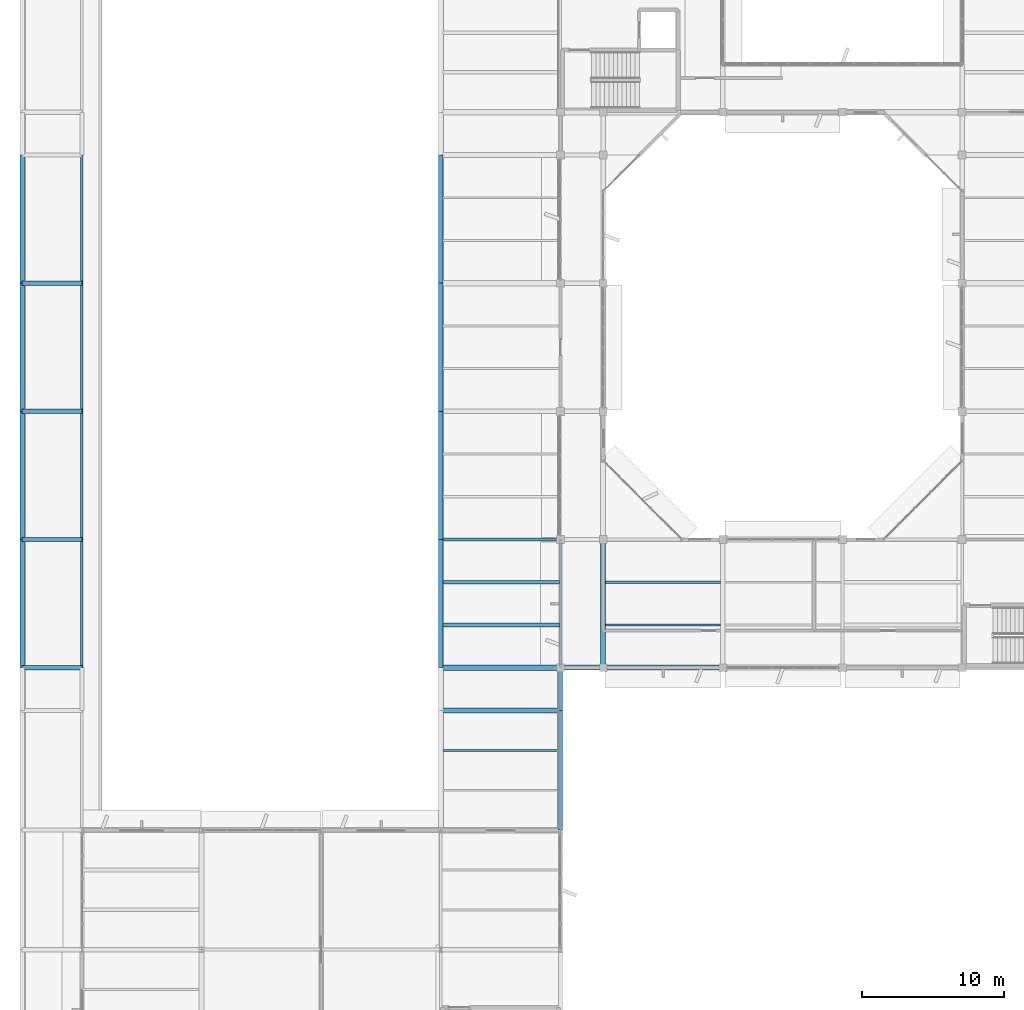
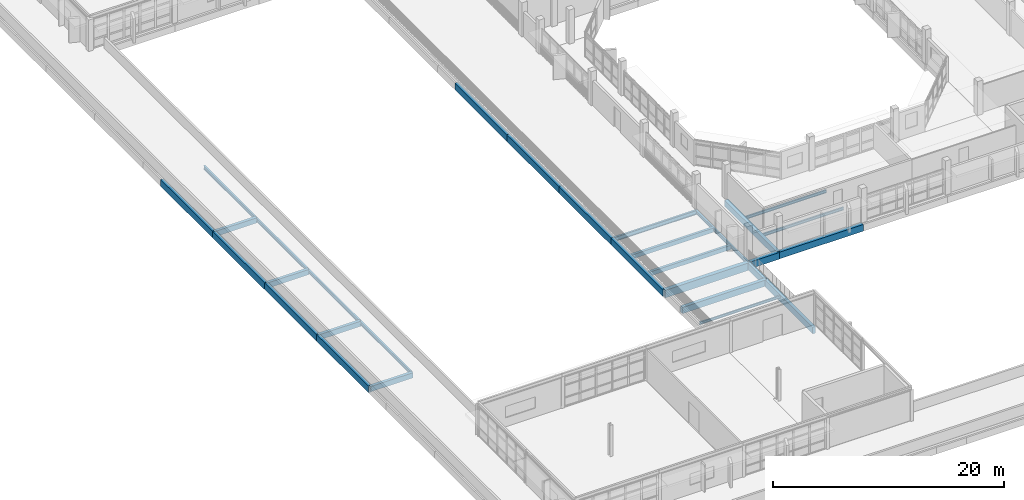
# One storey, part 9 of 92: 30 beams.
"""IFC4 building model written with IfcOpenShell, lengths in metres."""

from ifc_helpers import new_model, si_unit, direction, frame, origin, origin_2d, place, context, subcontext, project, spatial, rectangle, i_section, extrude, material, material_profile, profile_set, type_object, element, save


model = new_model("IFC4")

# Units and contexts
model_context = context("Model", 3, precision=1e-05, world=origin(), true_north=direction((0.0, 1.0)))
body_context = subcontext(model_context, "Body", "Model", "MODEL_VIEW")
ifc_project = project(units=[si_unit("LENGTHUNIT", "METRE"), si_unit("AREAUNIT", "SQUARE_METRE"), si_unit("VOLUMEUNIT", "CUBIC_METRE"), si_unit("PLANEANGLEUNIT", "RADIAN"), si_unit("MASSUNIT", "GRAM", prefix="KILO")], contexts=[model_context])

# Site, building, storey
site_placement = place(None, origin())
site = spatial("IfcSite", under=ifc_project, at=site_placement, CompositionType="ELEMENT")
building_placement = place(site_placement, origin())
building = spatial("IfcBuilding", under=site, at=building_placement, Name="Vanh Quang Courtyard School", CompositionType="ELEMENT")
storey_placement = place(building_placement, frame((0.0, 0.0, 7.800048828125)))
storey = spatial("IfcBuildingStorey", under=building, at=storey_placement, Name="L02", CompositionType="ELEMENT", Elevation=7.800048828125)

# Beams
ifc_material_1 = material(Name="Concrete C35/45", Category="concrete")
ifc_material_profile_1 = material_profile(ifc_material_1, rectangle(XDim=0.300048828125, YDim=0.550048828125, at=origin_2d()), Name="RC-BM 300x550")
ifc_profile_set_1 = profile_set([ifc_material_profile_1], Name="Concrete C35/45")
beam_type_1 = type_object("IfcBeamType", Name="BM-RC-300x550", PredefinedType="BEAM", material=ifc_profile_set_1)
for number, where, z_axis, x_axis, name in (
    (1, (0.0, 32.39990234375, -0.4951171875), (1.0, 0.0, 0.0), (0.0, 1.0, 0.0), "Beam B-07 (L02)"),
    (2, (0.0, 41.39990234375, -0.4951171875), (1.0, 0.0, 0.0), (0.0, 1.0, 0.0), "Beam B-07 (L02)"),
    (3, (0.0, 50.39990234375, -0.4951171875), (1.0, 0.0, 0.0), (0.0, 1.0, 0.0), "Beam B-07 (L02)"),
    (4, (0.0, 59.39990234375, -0.4951171875), (1.0, 0.0, 0.0), (0.0, 1.0, 0.0), "Beam B-07 (L02)"),
):
    element("IfcBeam", number, at=place(storey_placement, frame(where, z_axis=z_axis, x_axis=x_axis)), inside=storey, type_object=beam_type_1, Name=name, PredefinedType="BEAM", context=body_context, shape_type="SweptSolid", body=[
        extrude(rectangle(XDim=0.300048828125, YDim=0.550048828125, at=origin_2d()), origin(), (0.0, 0.0, 1.0), 4.199951171875),
    ])
ifc_material_profile_2 = material_profile(ifc_material_1, rectangle(XDim=0.35009765625, YDim=0.64990234375, at=origin_2d()), Name="RC-BM 350x650")
ifc_profile_set_2 = profile_set([ifc_material_profile_2], Name="Concrete C35/45")
beam_type_2 = type_object("IfcBeamType", Name="BM-RC-350x650", PredefinedType="BEAM", material=ifc_profile_set_2)
beam_1_placement = place(storey_placement, frame((29.39990234375, 29.39990234375, -0.64501953125), z_axis=(1.0, 0.0, 0.0), x_axis=(0.0, 1.0, 0.0)))
element("IfcBeam", 5, at=beam_1_placement, inside=storey, type_object=beam_type_2, Name="Beam B-05 (L02)", PredefinedType="BEAM", context=body_context, shape_type="SweptSolid", body=[
    extrude(rectangle(XDim=0.35009765625, YDim=0.64990234375, at=origin_2d()), origin(), (0.0, 0.0, 1.0), 8.400146484375),
])
beam_2_placement = place(storey_placement, frame((40.800048828125, 32.39990234375, -0.625), z_axis=(0.0, 1.0, 0.0), x_axis=(-1.0, 0.0, 0.0)))
element("IfcBeam", 6, at=beam_2_placement, inside=storey, type_object=beam_type_2, Name="Beam B-05 (L02)", PredefinedType="BEAM", context=body_context, shape_type="SweptSolid", body=[
    extrude(rectangle(XDim=0.35009765625, YDim=0.64990234375, at=origin_2d()), origin(), (0.0, 0.0, 1.0), 9.0),
])
ifc_material_profile_3 = material_profile(ifc_material_1, rectangle(XDim=0.35009765625, YDim=0.699951171875, at=origin_2d()), Name="RC-BM 350x700")
ifc_profile_set_3 = profile_set([ifc_material_profile_3], Name="Concrete C35/45")
beam_type_3 = type_object("IfcBeamType", Name="BM-RC-350x700", PredefinedType="BEAM", material=ifc_profile_set_3)
beam_3_placement = place(storey_placement, frame((37.800048828125, 32.39990234375, -0.670166015625), z_axis=(1.0, 0.0, 0.0), x_axis=(0.0, 1.0, 0.0)))
element("IfcBeam", 7, at=beam_3_placement, inside=storey, type_object=beam_type_3, Name="Beam B-04 (L02)", PredefinedType="BEAM", context=body_context, shape_type="SweptSolid", body=[
    extrude(rectangle(XDim=0.35009765625, YDim=0.699951171875, at=origin_2d()), origin(), (0.0, 0.0, 1.0), 3.0),
])
beam_4_placement = place(storey_placement, frame((40.800048828125, 32.39990234375, -0.650146484375), z_axis=(1.0, 0.0, 0.0), x_axis=(0.0, 1.0, 0.0)))
element("IfcBeam", 8, at=beam_4_placement, inside=storey, type_object=beam_type_3, Name="Beam B-04 (L02)", PredefinedType="BEAM", context=body_context, shape_type="SweptSolid", body=[
    extrude(rectangle(XDim=0.35009765625, YDim=0.699951171875, at=origin_2d()), origin(), (0.0, 0.0, 1.0), 8.39990234375),
])
ifc_material_profile_4 = material_profile(ifc_material_1, rectangle(XDim=0.39990234375, YDim=0.800048828125, at=origin_2d()), Name="RC-BM 400x800")
ifc_profile_set_4 = profile_set([ifc_material_profile_4], Name="Concrete C35/45")
beam_type_4 = type_object("IfcBeamType", Name="BM-RC-400x800", PredefinedType="BEAM", material=ifc_profile_set_4)
beam_5_placement = place(storey_placement, frame((29.39990234375, 32.39990234375, -0.719970703125), z_axis=(1.0, 0.0, 0.0), x_axis=(0.0, 1.0, 0.0)))
element("IfcBeam", 9, at=beam_5_placement, inside=storey, type_object=beam_type_4, Name="Beam B-02 (L02)", PredefinedType="BEAM", context=body_context, shape_type="SweptSolid", body=[
    extrude(rectangle(XDim=0.39990234375, YDim=0.800048828125, at=origin_2d()), origin(), (0.0, 0.0, 1.0), 8.400146484375),
])
ifc_material_profile_5 = material_profile(ifc_material_1, rectangle(XDim=0.300048828125, YDim=0.699951171875, at=origin_2d()), Name="RC-SP 300x700")
ifc_profile_set_5 = profile_set([ifc_material_profile_5], Name="Concrete C35/45")
beam_type_5 = type_object("IfcBeamType", Name="BM-SP-300x700", PredefinedType="SPANDREL", material=ifc_profile_set_5)
for number, where, z_axis, x_axis, name in (
    (10, (0.0, 32.39990234375, -0.570068359375), (0.0, 1.0, 0.0), (-1.0, 0.0, 0.0), "Beam BS-01 (L02)"),
    (11, (0.0, 41.39990234375, -0.570068359375), (0.0, 1.0, 0.0), (-1.0, 0.0, 0.0), "Beam BS-01 (L02)"),
    (12, (0.0, 50.39990234375, -0.570068359375), (0.0, 1.0, 0.0), (-1.0, 0.0, 0.0), "Beam BS-01 (L02)"),
    (13, (0.0, 59.39990234375, -0.570068359375), (0.0, 1.0, 0.0), (-1.0, 0.0, 0.0), "Beam BS-01 (L02)"),
    (14, (29.39990234375, 32.39990234375, -0.670166015625), (0.0, 1.0, 0.0), (-1.0, 0.0, 0.0), "Beam BS-01 (L02)"),
    (15, (29.39990234375, 41.39990234375, -0.670166015625), (0.0, 1.0, 0.0), (-1.0, 0.0, 0.0), "Beam BS-01 (L02)"),
    (16, (29.39990234375, 50.39990234375, -0.670166015625), (0.0, 1.0, 0.0), (-1.0, 0.0, 0.0), "Beam BS-01 (L02)"),
    (17, (29.39990234375, 59.39990234375, -0.670166015625), (0.0, 1.0, 0.0), (-1.0, 0.0, 0.0), "Beam BS-01 (L02)"),
):
    element("IfcBeam", number, at=place(storey_placement, frame(where, z_axis=z_axis, x_axis=x_axis)), inside=storey, type_object=beam_type_5, Name=name, PredefinedType="SPANDREL", context=body_context, shape_type="SweptSolid", body=[
        extrude(rectangle(XDim=0.300048828125, YDim=0.699951171875, at=origin_2d()), origin(), (0.0, 0.0, 1.0), 9.0),
    ])
beam_6_placement = place(storey_placement, frame((37.800048828125, 21.0, -0.670166015625), z_axis=(0.0, 1.0, 0.0), x_axis=(-1.0, 0.0, 0.0)))
element("IfcBeam", 18, at=beam_6_placement, inside=storey, type_object=beam_type_5, Name="Beam BS-01 (L02)", PredefinedType="SPANDREL", context=body_context, shape_type="SweptSolid", body=[
    extrude(rectangle(XDim=0.300048828125, YDim=0.699951171875, at=origin_2d()), origin(), (0.0, 0.0, 1.0), 8.39990234375),
])
beam_7_placement = place(storey_placement, frame((37.800048828125, 29.39990234375, -0.670166015625), z_axis=(0.0, 1.0, 0.0), x_axis=(-1.0, 0.0, 0.0)))
element("IfcBeam", 19, at=beam_7_placement, inside=storey, type_object=beam_type_5, Name="Beam BS-01 (L02)", PredefinedType="SPANDREL", context=body_context, shape_type="SweptSolid", body=[
    extrude(rectangle(XDim=0.300048828125, YDim=0.699951171875, at=origin_2d()), origin(), (0.0, 0.0, 1.0), 3.0),
])
ifc_material_2 = material(Name="Structural steel EN 10025-2 S355J2", Category="steel")
ifc_material_profile_6 = material_profile(ifc_material_2, i_section(OverallWidth=0.169921875, OverallDepth=0.360107421875, WebThickness=0.008056640625, FlangeThickness=0.0126953125, FilletRadius=0.01806640625, at=origin_2d()), Name="IPE 360")
ifc_profile_set_6 = profile_set([ifc_material_profile_6], Name="Structural steel EN 10025-2 S355J2")
beam_type_6 = type_object("IfcBeamType", Name="BM-STL-IPE360", PredefinedType="BEAM", material=ifc_profile_set_6)
for number, where, z_axis, x_axis, name in (
    (20, (4.199951171875, 32.39990234375, -0.400146484375), (0.0, 1.0, 0.0), (-1.0, 0.0, 0.0), "Beam SB-06 (L02)"),
    (21, (4.199951171875, 41.39990234375, -0.400146484375), (0.0, 1.0, 0.0), (-1.0, 0.0, 0.0), "Beam SB-06 (L02)"),
    (22, (4.199951171875, 50.39990234375, -0.400146484375), (0.0, 1.0, 0.0), (-1.0, 0.0, 0.0), "Beam SB-06 (L02)"),
    (23, (4.199951171875, 59.39990234375, -0.400146484375), (0.0, 1.0, 0.0), (-1.0, 0.0, 0.0), "Beam SB-06 (L02)"),
    (24, (37.800048828125, 32.39990234375, -0.5), (0.0, 1.0, 0.0), (-1.0, 0.0, 0.0), "Beam SB-06 (L02)"),
):
    element("IfcBeam", number, at=place(storey_placement, frame(where, z_axis=z_axis, x_axis=x_axis)), inside=storey, type_object=beam_type_6, Name=name, PredefinedType="BEAM", context=body_context, shape_type="SweptSolid", body=[
        extrude(i_section(OverallWidth=0.169921875, OverallDepth=0.360107421875, WebThickness=0.008056640625, FlangeThickness=0.0126953125, FilletRadius=0.01806640625, at=origin_2d()), origin(), (0.0, 0.0, 1.0), 9.0),
    ])
ifc_material_profile_7 = material_profile(ifc_material_2, i_section(OverallWidth=0.18994140625, OverallDepth=0.449951171875, WebThickness=0.009521484375, FlangeThickness=0.0146484375, FilletRadius=0.02099609375, at=origin_2d()), Name="IPE 450")
ifc_profile_set_7 = profile_set([ifc_material_profile_7], Name="Structural steel EN 10025-2 S355J2")
beam_type_7 = type_object("IfcBeamType", Name="BM-STL-IPE450", PredefinedType="BEAM", material=ifc_profile_set_7)
beam_8_placement = place(storey_placement, frame((29.39990234375, 41.39990234375, -0.545166015625), z_axis=(1.0, 0.0, 0.0), x_axis=(0.0, 1.0, 0.0)))
element("IfcBeam", 25, at=beam_8_placement, inside=storey, type_object=beam_type_7, Name="Beam SB-04 (L02)", PredefinedType="BEAM", context=body_context, shape_type="SweptSolid", body=[
    extrude(i_section(OverallWidth=0.18994140625, OverallDepth=0.449951171875, WebThickness=0.009521484375, FlangeThickness=0.0146484375, FilletRadius=0.02099609375, at=origin_2d()), origin(), (0.0, 0.0, 1.0), 8.400146484375),
])
ifc_material_3 = material(Name="Concrete C30/37", Category="concrete")
ifc_material_profile_8 = material_profile(ifc_material_3, rectangle(XDim=0.25, YDim=0.449951171875, at=origin_2d()), Name="RC-JST 250x450")
ifc_profile_set_8 = profile_set([ifc_material_profile_8], Name="Concrete C30/37")
beam_type_8 = type_object("IfcBeamType", Name="JST-RC-250x450", PredefinedType="JOIST", material=ifc_profile_set_8)
for number, where, z_axis, x_axis, name in (
    (26, (29.550048828125, 35.39990234375, -0.545166015625), (1.0, 0.0, 0.0), (0.0, 1.0, 0.0), "Beam BJ-02 (L02)"),
    (27, (29.550048828125, 38.39990234375, -0.545166015625), (1.0, 0.0, 0.0), (0.0, 1.0, 0.0), "Beam BJ-02 (L02)"),
):
    element("IfcBeam", number, at=place(storey_placement, frame(where, z_axis=z_axis, x_axis=x_axis)), inside=storey, type_object=beam_type_8, Name=name, PredefinedType="JOIST", context=body_context, shape_type="SweptSolid", body=[
        extrude(rectangle(XDim=0.25, YDim=0.449951171875, at=origin_2d()), origin(), (0.0, 0.0, 1.0), 8.1650390625),
    ])
ifc_material_profile_9 = material_profile(ifc_material_2, i_section(OverallWidth=0.135009765625, OverallDepth=0.27001953125, WebThickness=0.006591796875, FlangeThickness=0.01025390625, FilletRadius=0.014892578125, at=origin_2d()), Name="IPE 270")
ifc_profile_set_9 = profile_set([ifc_material_profile_9], Name="Structural steel EN 10025-2 S355J2")
beam_type_9 = type_object("IfcBeamType", Name="JST-STL-IPE270", PredefinedType="JOIST", material=ifc_profile_set_9)
beam_9_placement = place(storey_placement, frame((29.550048828125, 26.60009765625, -0.455078125), z_axis=(1.0, 0.0, 0.0), x_axis=(0.0, 1.0, 0.0)))
element("IfcBeam", 28, at=beam_9_placement, inside=storey, type_object=beam_type_9, Name="Beam SJ-03 (L02)", PredefinedType="JOIST", context=body_context, shape_type="SweptSolid", body=[
    extrude(i_section(OverallWidth=0.135009765625, OverallDepth=0.27001953125, WebThickness=0.006591796875, FlangeThickness=0.01025390625, FilletRadius=0.014892578125, at=origin_2d()), origin(), (0.0, 0.0, 1.0), 8.099853515625),
])
ifc_material_profile_10 = material_profile(ifc_material_2, i_section(OverallWidth=0.14990234375, OverallDepth=0.300048828125, WebThickness=0.007080078125, FlangeThickness=0.0107421875, FilletRadius=0.014892578125, at=origin_2d()), Name="IPE 300")
ifc_profile_set_10 = profile_set([ifc_material_profile_10], Name="Structural steel EN 10025-2 S355J2")
beam_type_10 = type_object("IfcBeamType", Name="JST-STL-IPE300", PredefinedType="JOIST", material=ifc_profile_set_10)
for number, where, z_axis, x_axis, name in (
    (29, (40.97509765625, 35.39990234375, -0.449951171875), (1.0, 0.0, 0.0), (0.0, 1.0, 0.0), "Beam SJ-02 (L02)"),
    (30, (40.97509765625, 38.39990234375, -0.449951171875), (1.0, 0.0, 0.0), (0.0, 1.0, 0.0), "Beam SJ-02 (L02)"),
):
    element("IfcBeam", number, at=place(storey_placement, frame(where, z_axis=z_axis, x_axis=x_axis)), inside=storey, type_object=beam_type_10, Name=name, PredefinedType="JOIST", context=body_context, shape_type="SweptSolid", body=[
        extrude(i_section(OverallWidth=0.14990234375, OverallDepth=0.300048828125, WebThickness=0.007080078125, FlangeThickness=0.0107421875, FilletRadius=0.014892578125, at=origin_2d()), origin(), (0.0, 0.0, 1.0), 8.074951171875),
    ])

save(model, "model.ifc")
